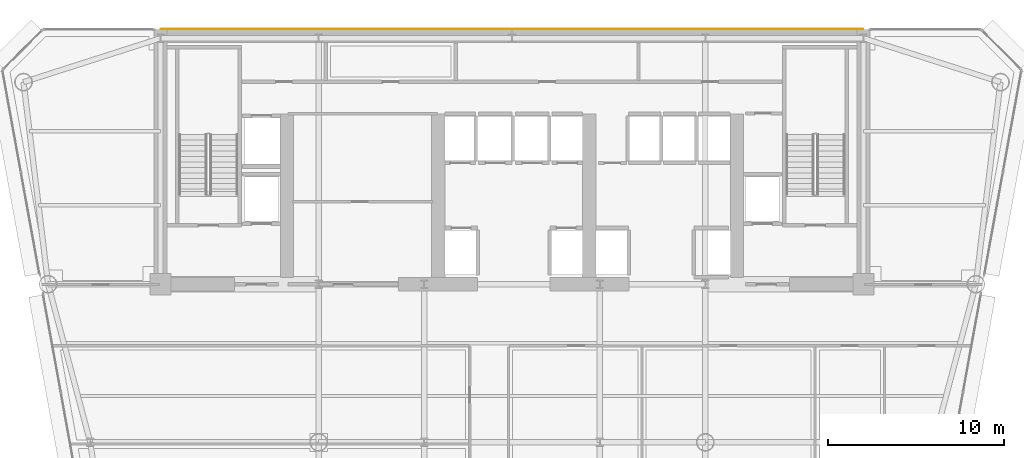
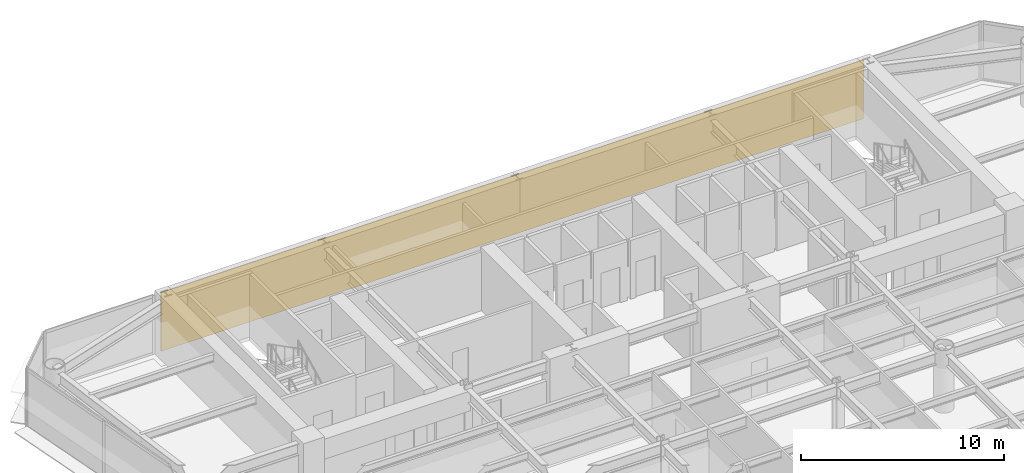
# One storey, part 13 of 14: 1 covering.
"""IFC4 building model written with IfcOpenShell, lengths in metres."""

from ifc_helpers import new_model, si_unit, direction, frame, origin, place, context, subcontext, project, spatial, polyline, outline, extrude, material, layer, layer_set, type_object, element, save


model = new_model("IFC4")

# Units and contexts
model_context = context("Model", 3, precision=1e-05, world=origin(), true_north=direction((0.0, 1.0)))
body_context = subcontext(model_context, "Body", "Model", "MODEL_VIEW")
ifc_project = project(units=[si_unit("LENGTHUNIT", "METRE"), si_unit("AREAUNIT", "SQUARE_METRE"), si_unit("VOLUMEUNIT", "CUBIC_METRE"), si_unit("PLANEANGLEUNIT", "RADIAN"), si_unit("MASSUNIT", "GRAM", prefix="KILO")], contexts=[model_context])

# Site, building, storey
site_placement = place(None, origin())
site = spatial("IfcSite", under=ifc_project, at=site_placement, CompositionType="ELEMENT")
building_placement = place(site_placement, origin())
building = spatial("IfcBuilding", under=site, at=building_placement, Name="Vaeldorn Concourse Tower", CompositionType="ELEMENT")
storey_placement = place(building_placement, frame((0.0, 0.0, 145.199951171875)))
storey = spatial("IfcBuildingStorey", under=building, at=storey_placement, Name="L37", CompositionType="ELEMENT", Elevation=145.199951171875)

# Covering
ifc_material = material(Name="Anodised Bronze Aluminium", Category="aluminium")
ifc_layer = layer(ifc_material, 0.050048828125)
ifc_layer_set = layer_set([ifc_layer], Name="Anodised Bronze Aluminium")
covering_type = type_object("IfcCoveringType", Name="COV-CLAD-BRONZE", PredefinedType="CLADDING", material=ifc_layer_set)
covering_placement = place(storey_placement, origin())
element("IfcCovering", 1, at=covering_placement, inside=storey, type_object=covering_type, Name="Rear Core Bronze Spandrel Cladding L37", PredefinedType="CLADDING", context=body_context, shape_type="SweptSolid", body=[
    extrude(outline(polyline([(14.0, 51.0), (54.0, 51.0), (54.0, 51.050048828125), (14.0, 51.050048828125), (14.0, 51.0)])), origin(), (0.0, 0.0, 1.0), 3.5400390625),
])

save(model, "model.ifc")
